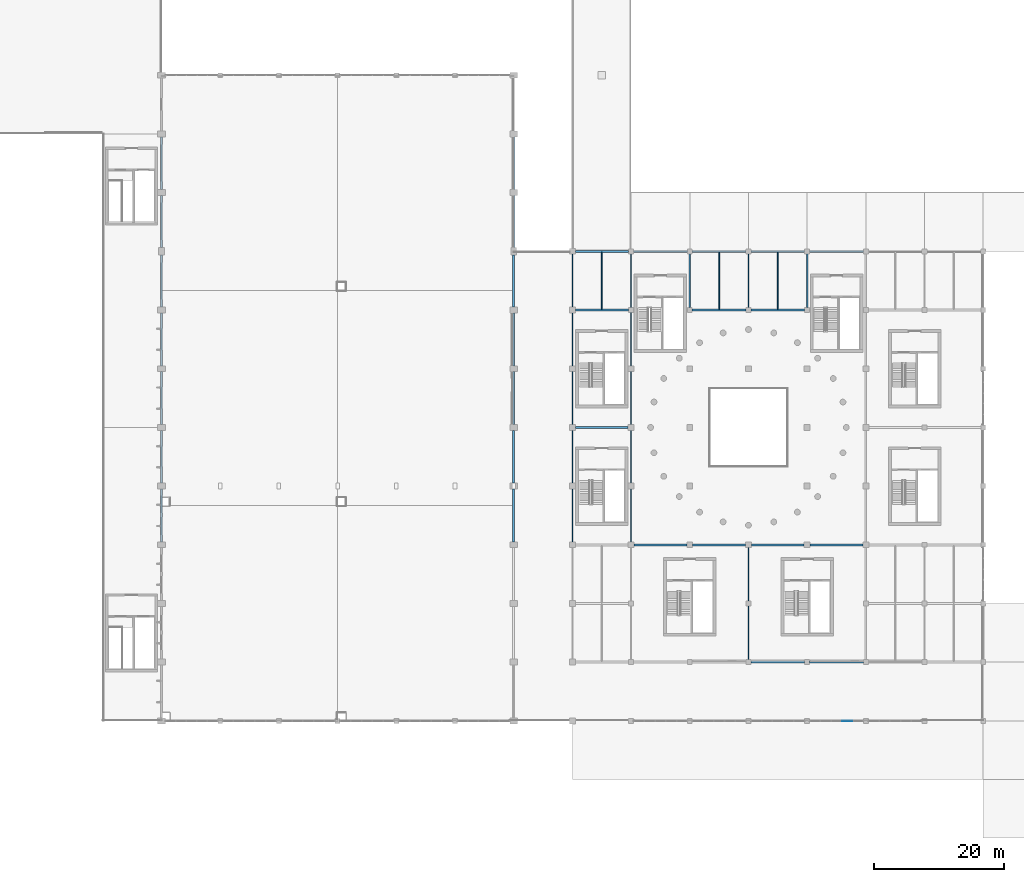
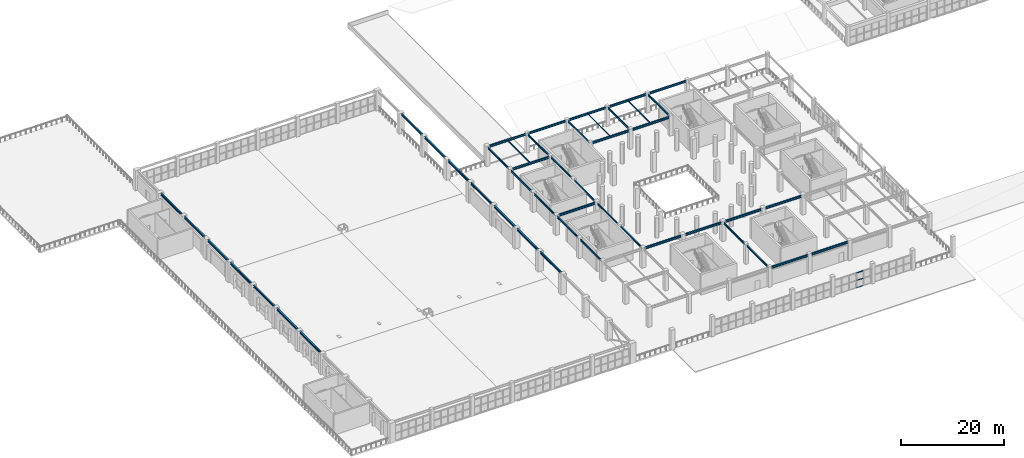
# One storey, part 18 of 89: 47 beams, 3 members, 1 element without a shape of its own.
"""IFC4 building model written with IfcOpenShell, lengths in metres."""

from ifc_helpers import new_model, si_unit, direction, frame, origin, origin_2d, place, context, subcontext, project, spatial, hollow_rectangle, i_section, extrude, material, layer, layer_set, material_profile, profile_set, type_object, element, aggregate, save


model = new_model("IFC4")

# Units and contexts
model_context = context("Model", 3, precision=1e-05, world=origin(), true_north=direction((0.0, 1.0)))
body_context = subcontext(model_context, "Body", "Model", "MODEL_VIEW")
ifc_project = project(units=[si_unit("LENGTHUNIT", "METRE"), si_unit("AREAUNIT", "SQUARE_METRE"), si_unit("VOLUMEUNIT", "CUBIC_METRE"), si_unit("PLANEANGLEUNIT", "RADIAN"), si_unit("MASSUNIT", "GRAM", prefix="KILO")], contexts=[model_context])

# Site, building, storey
site_placement = place(None, origin())
site = spatial("IfcSite", under=ifc_project, at=site_placement, CompositionType="ELEMENT")
building_placement = place(site_placement, origin())
building = spatial("IfcBuilding", under=site, at=building_placement, Name="Dornveld Trade and Exhibition Forum", CompositionType="ELEMENT")
storey_placement = place(building_placement, frame((0.0, 0.0, 12.0)))
storey = spatial("IfcBuildingStorey", under=building, at=storey_placement, Name="L02", CompositionType="ELEMENT", Elevation=12.0)

# Beams
ifc_material_1 = material(Name="Steel S355J2", Category="steel")
ifc_material_profile_1 = material_profile(ifc_material_1, i_section(OverallWidth=0.300048828125, OverallDepth=0.5, WebThickness=0.014404296875, FlangeThickness=0.028076171875, FilletRadius=0.027099609375, at=origin_2d()), Name="HEB 500")
ifc_profile_set_1 = profile_set([ifc_material_profile_1], Name="Steel S355J2")
beam_type_1 = type_object("IfcBeamType", Name="BM-GIR-HEB500", PredefinedType="USERDEFINED", material=ifc_profile_set_1)
for number, where, z_axis, x_axis, name in (
    (1, (27.0, 63.446044921875, 4.550048828125), (0.0, 1.0, 0.0), (-1.0, 0.0, 0.0), "L02 Y-girder 1448"),
    (2, (27.0, 72.446044921875, 4.550048828125), (0.0, 1.0, 0.0), (-1.0, 0.0, 0.0), "L02 Y-girder 1449"),
    (3, (27.0, 81.446044921875, 4.550048828125), (0.0, 1.0, 0.0), (-1.0, 0.0, 0.0), "L02 Y-girder 1450"),
    (4, (27.0, 90.446044921875, 4.550048828125), (0.0, 1.0, 0.0), (-1.0, 0.0, 0.0), "L02 Y-girder 1451"),
):
    element("IfcBeam", number, at=place(storey_placement, frame(where, z_axis=z_axis, x_axis=x_axis)), inside=storey, type_object=beam_type_1, Name=name, ObjectType="GIRDER", PredefinedType="USERDEFINED", context=body_context, shape_type="SweptSolid", body=[
        extrude(i_section(OverallWidth=0.300048828125, OverallDepth=0.5, WebThickness=0.014404296875, FlangeThickness=0.028076171875, FilletRadius=0.027099609375, at=origin_2d()), origin(), (0.0, 0.0, 1.0), 8.10791015625),
    ])
for number, where, z_axis, x_axis, name in (
    (5, (27.0, 99.446044921875, 4.550048828125), (0.0, 1.0, 0.0), (-1.0, 0.0, 0.0), "L02 Y-girder 1452"),
    (6, (27.0, 108.595947265625, 4.550048828125), (0.0, 1.0, 0.0), (-1.0, 0.0, 0.0), "L02 Y-girder 1453"),
):
    element("IfcBeam", number, at=place(storey_placement, frame(where, z_axis=z_axis, x_axis=x_axis)), inside=storey, type_object=beam_type_1, Name=name, ObjectType="GIRDER", PredefinedType="USERDEFINED", context=body_context, shape_type="SweptSolid", body=[
        extrude(i_section(OverallWidth=0.300048828125, OverallDepth=0.5, WebThickness=0.014404296875, FlangeThickness=0.028076171875, FilletRadius=0.027099609375, at=origin_2d()), origin(), (0.0, 0.0, 1.0), 7.9580078125),
    ])
for number, where, z_axis, x_axis, name in (
    (7, (27.0, 117.446044921875, 4.550048828125), (0.0, 1.0, 0.0), (-1.0, 0.0, 0.0), "L02 Y-girder 1454"),
    (8, (81.0, 63.446044921875, 4.550048828125), (0.0, 1.0, 0.0), (-1.0, 0.0, 0.0), "L02 Y-girder 1459"),
    (9, (81.0, 72.446044921875, 4.550048828125), (0.0, 1.0, 0.0), (-1.0, 0.0, 0.0), "L02 Y-girder 1460"),
    (10, (81.0, 81.446044921875, 4.550048828125), (0.0, 1.0, 0.0), (-1.0, 0.0, 0.0), "L02 Y-girder 1461"),
    (11, (81.0, 90.446044921875, 4.550048828125), (0.0, 1.0, 0.0), (-1.0, 0.0, 0.0), "L02 Y-girder 1462"),
):
    element("IfcBeam", number, at=place(storey_placement, frame(where, z_axis=z_axis, x_axis=x_axis)), inside=storey, type_object=beam_type_1, Name=name, ObjectType="GIRDER", PredefinedType="USERDEFINED", context=body_context, shape_type="SweptSolid", body=[
        extrude(i_section(OverallWidth=0.300048828125, OverallDepth=0.5, WebThickness=0.014404296875, FlangeThickness=0.028076171875, FilletRadius=0.027099609375, at=origin_2d()), origin(), (0.0, 0.0, 1.0), 8.10791015625),
    ])
for number, where, z_axis, x_axis, name in (
    (12, (81.0, 99.446044921875, 4.550048828125), (0.0, 1.0, 0.0), (-1.0, 0.0, 0.0), "L02 Y-girder 1463"),
    (13, (81.0, 108.595947265625, 4.550048828125), (0.0, 1.0, 0.0), (-1.0, 0.0, 0.0), "L02 Y-girder 1464"),
):
    element("IfcBeam", number, at=place(storey_placement, frame(where, z_axis=z_axis, x_axis=x_axis)), inside=storey, type_object=beam_type_1, Name=name, ObjectType="GIRDER", PredefinedType="USERDEFINED", context=body_context, shape_type="SweptSolid", body=[
        extrude(i_section(OverallWidth=0.300048828125, OverallDepth=0.5, WebThickness=0.014404296875, FlangeThickness=0.028076171875, FilletRadius=0.027099609375, at=origin_2d()), origin(), (0.0, 0.0, 1.0), 7.9580078125),
    ])
beam_1_placement = place(storey_placement, frame((81.0, 117.446044921875, 4.550048828125), z_axis=(0.0, 1.0, 0.0), x_axis=(-1.0, 0.0, 0.0)))
element("IfcBeam", 14, at=beam_1_placement, inside=storey, type_object=beam_type_1, Name="L02 Y-girder 1465", ObjectType="GIRDER", PredefinedType="USERDEFINED", context=body_context, shape_type="SweptSolid", body=[
    extrude(i_section(OverallWidth=0.300048828125, OverallDepth=0.5, WebThickness=0.014404296875, FlangeThickness=0.028076171875, FilletRadius=0.027099609375, at=origin_2d()), origin(), (0.0, 0.0, 1.0), 8.10791015625),
])
for number, where, z_axis, x_axis, name in (
    (15, (117.37109375, 45.0, 4.27001953125), (1.0, 0.0, 0.0), (0.0, 1.0, 0.0), "L02 X-girder 1470"),
    (16, (126.37109375, 45.0, 4.27001953125), (1.0, 0.0, 0.0), (0.0, 1.0, 0.0), "L02 X-girder 1471"),
):
    element("IfcBeam", number, at=place(storey_placement, frame(where, z_axis=z_axis, x_axis=x_axis)), inside=storey, type_object=beam_type_1, Name=name, ObjectType="GIRDER", PredefinedType="USERDEFINED", context=body_context, shape_type="SweptSolid", body=[
        extrude(i_section(OverallWidth=0.300048828125, OverallDepth=0.5, WebThickness=0.014404296875, FlangeThickness=0.028076171875, FilletRadius=0.027099609375, at=origin_2d()), origin(), (0.0, 0.0, 1.0), 8.2578125),
    ])
for number, where, z_axis, x_axis, name in (
    (17, (99.446044921875, 63.0, 4.27001953125), (1.0, 0.0, 0.0), (0.0, 1.0, 0.0), "L02 X-girder 1478"),
    (18, (108.446044921875, 63.0, 4.27001953125), (1.0, 0.0, 0.0), (0.0, 1.0, 0.0), "L02 X-girder 1479"),
    (19, (117.446044921875, 63.0, 4.27001953125), (1.0, 0.0, 0.0), (0.0, 1.0, 0.0), "L02 X-girder 1480"),
    (20, (126.446044921875, 63.0, 4.27001953125), (1.0, 0.0, 0.0), (0.0, 1.0, 0.0), "L02 X-girder 1481"),
    (21, (90.446044921875, 81.0, 4.27001953125), (1.0, 0.0, 0.0), (0.0, 1.0, 0.0), "L02 X-girder 1484"),
):
    element("IfcBeam", number, at=place(storey_placement, frame(where, z_axis=z_axis, x_axis=x_axis)), inside=storey, type_object=beam_type_1, Name=name, ObjectType="GIRDER", PredefinedType="USERDEFINED", context=body_context, shape_type="SweptSolid", body=[
        extrude(i_section(OverallWidth=0.300048828125, OverallDepth=0.5, WebThickness=0.014404296875, FlangeThickness=0.028076171875, FilletRadius=0.027099609375, at=origin_2d()), origin(), (0.0, 0.0, 1.0), 8.10791015625),
    ])
beam_2_placement = place(storey_placement, frame((90.446044921875, 99.0, 4.27001953125), z_axis=(1.0, 0.0, 0.0), x_axis=(0.0, 1.0, 0.0)))
element("IfcBeam", 22, at=beam_2_placement, inside=storey, type_object=beam_type_1, Name="L02 X-girder 1487", ObjectType="GIRDER", PredefinedType="USERDEFINED", context=body_context, shape_type="SweptSolid", body=[
    extrude(i_section(OverallWidth=0.300048828125, OverallDepth=0.5, WebThickness=0.014404296875, FlangeThickness=0.028076171875, FilletRadius=0.027099609375, at=origin_2d()), origin(), (0.0, 0.0, 1.0), 8.182861328125),
])
for number, where, z_axis, x_axis, name in (
    (23, (108.37109375, 99.0, 4.27001953125), (1.0, 0.0, 0.0), (0.0, 1.0, 0.0), "L02 X-girder 1488"),
    (24, (117.37109375, 99.0, 4.27001953125), (1.0, 0.0, 0.0), (0.0, 1.0, 0.0), "L02 X-girder 1489"),
):
    element("IfcBeam", number, at=place(storey_placement, frame(where, z_axis=z_axis, x_axis=x_axis)), inside=storey, type_object=beam_type_1, Name=name, ObjectType="GIRDER", PredefinedType="USERDEFINED", context=body_context, shape_type="SweptSolid", body=[
        extrude(i_section(OverallWidth=0.300048828125, OverallDepth=0.5, WebThickness=0.014404296875, FlangeThickness=0.028076171875, FilletRadius=0.027099609375, at=origin_2d()), origin(), (0.0, 0.0, 1.0), 8.2578125),
    ])
beam_3_placement = place(storey_placement, frame((90.446044921875, 108.0, 4.27001953125), z_axis=(1.0, 0.0, 0.0), x_axis=(0.0, 1.0, 0.0)))
element("IfcBeam", 25, at=beam_3_placement, inside=storey, type_object=beam_type_1, Name="L02 X-girder 1492", ObjectType="GIRDER", PredefinedType="USERDEFINED", context=body_context, shape_type="SweptSolid", body=[
    extrude(i_section(OverallWidth=0.300048828125, OverallDepth=0.5, WebThickness=0.014404296875, FlangeThickness=0.028076171875, FilletRadius=0.027099609375, at=origin_2d()), origin(), (0.0, 0.0, 1.0), 8.182861328125),
])
for number, where, z_axis, x_axis, name in (
    (26, (99.37109375, 108.0, 4.27001953125), (1.0, 0.0, 0.0), (0.0, 1.0, 0.0), "L02 X-girder 1493"),
    (27, (108.37109375, 108.0, 4.27001953125), (1.0, 0.0, 0.0), (0.0, 1.0, 0.0), "L02 X-girder 1494"),
    (28, (117.37109375, 108.0, 4.27001953125), (1.0, 0.0, 0.0), (0.0, 1.0, 0.0), "L02 X-girder 1495"),
    (29, (126.37109375, 108.0, 4.27001953125), (1.0, 0.0, 0.0), (0.0, 1.0, 0.0), "L02 X-girder 1496"),
):
    element("IfcBeam", number, at=place(storey_placement, frame(where, z_axis=z_axis, x_axis=x_axis)), inside=storey, type_object=beam_type_1, Name=name, ObjectType="GIRDER", PredefinedType="USERDEFINED", context=body_context, shape_type="SweptSolid", body=[
        extrude(i_section(OverallWidth=0.300048828125, OverallDepth=0.5, WebThickness=0.014404296875, FlangeThickness=0.028076171875, FilletRadius=0.027099609375, at=origin_2d()), origin(), (0.0, 0.0, 1.0), 8.2578125),
    ])
ifc_material_2 = material(Name="Steel S355J2", Category="steel")
ifc_material_profile_2 = material_profile(ifc_material_2, i_section(OverallWidth=0.1201171875, OverallDepth=0.239990234375, WebThickness=0.006103515625, FlangeThickness=0.009765625, FilletRadius=0.014892578125, at=origin_2d()), Name="IPE 240")
ifc_profile_set_2 = profile_set([ifc_material_profile_2], Name="Steel S355J2")
beam_type_2 = type_object("IfcBeamType", Name="BM-JOIST-240", PredefinedType="JOIST", material=ifc_profile_set_2)
for number, where, z_axis, x_axis, name in (
    (30, (94.5, 99.14697265625, 4.39990234375), (0.0, 1.0, 0.0), (-1.0, 0.0, 0.0), "L02 secondary joist 1537"),
    (31, (112.5, 99.14697265625, 4.39990234375), (0.0, 1.0, 0.0), (-1.0, 0.0, 0.0), "L02 secondary joist 1538"),
    (32, (121.5, 99.14697265625, 4.39990234375), (0.0, 1.0, 0.0), (-1.0, 0.0, 0.0), "L02 secondary joist 1539"),
):
    element("IfcBeam", number, at=place(storey_placement, frame(where, z_axis=z_axis, x_axis=x_axis)), inside=storey, type_object=beam_type_2, Name=name, PredefinedType="JOIST", context=body_context, shape_type="SweptSolid", body=[
        extrude(i_section(OverallWidth=0.1201171875, OverallDepth=0.239990234375, WebThickness=0.006103515625, FlangeThickness=0.009765625, FilletRadius=0.014892578125, at=origin_2d()), origin(), (0.0, 0.0, 1.0), 8.7060546875),
    ])
ifc_material_3 = material(Name="Steel S355J2", Category="steel")
ifc_material_profile_3 = material_profile(ifc_material_3, i_section(OverallWidth=0.18994140625, OverallDepth=0.449951171875, WebThickness=0.009521484375, FlangeThickness=0.0146484375, FilletRadius=0.02099609375, at=origin_2d()), Name="IPE 450")
ifc_profile_set_3 = profile_set([ifc_material_profile_3], Name="Steel S355J2")
beam_type_3 = type_object("IfcBeamType", Name="BM-SEC-450", PredefinedType="BEAM", material=ifc_profile_set_3)
for number, where, z_axis, x_axis, name in (
    (33, (90.0, 63.446044921875, 4.294921875), (0.0, 1.0, 0.0), (-1.0, 0.0, 0.0), "L02 Y-girder 1501"),
    (34, (90.0, 72.446044921875, 4.294921875), (0.0, 1.0, 0.0), (-1.0, 0.0, 0.0), "L02 Y-girder 1502"),
    (35, (90.0, 81.446044921875, 4.294921875), (0.0, 1.0, 0.0), (-1.0, 0.0, 0.0), "L02 Y-girder 1503"),
    (36, (90.0, 90.446044921875, 4.294921875), (0.0, 1.0, 0.0), (-1.0, 0.0, 0.0), "L02 Y-girder 1504"),
    (37, (90.0, 99.446044921875, 4.294921875), (0.0, 1.0, 0.0), (-1.0, 0.0, 0.0), "L02 Y-girder 1505"),
    (38, (99.0, 63.446044921875, 4.294921875), (0.0, 1.0, 0.0), (-1.0, 0.0, 0.0), "L02 Y-girder 1508"),
    (39, (99.0, 72.446044921875, 4.294921875), (0.0, 1.0, 0.0), (-1.0, 0.0, 0.0), "L02 Y-girder 1509"),
    (40, (99.0, 81.446044921875, 4.294921875), (0.0, 1.0, 0.0), (-1.0, 0.0, 0.0), "L02 Y-girder 1510"),
):
    element("IfcBeam", number, at=place(storey_placement, frame(where, z_axis=z_axis, x_axis=x_axis)), inside=storey, type_object=beam_type_3, Name=name, PredefinedType="BEAM", context=body_context, shape_type="SweptSolid", body=[
        extrude(i_section(OverallWidth=0.18994140625, OverallDepth=0.449951171875, WebThickness=0.009521484375, FlangeThickness=0.0146484375, FilletRadius=0.02099609375, at=origin_2d()), origin(), (0.0, 0.0, 1.0), 8.10791015625),
    ])
beam_4_placement = place(storey_placement, frame((99.0, 90.446044921875, 4.294921875), z_axis=(0.0, 1.0, 0.0), x_axis=(-1.0, 0.0, 0.0)))
element("IfcBeam", 41, at=beam_4_placement, inside=storey, type_object=beam_type_3, Name="L02 Y-girder 1511", PredefinedType="BEAM", context=body_context, shape_type="SweptSolid", body=[
    extrude(i_section(OverallWidth=0.18994140625, OverallDepth=0.449951171875, WebThickness=0.009521484375, FlangeThickness=0.0146484375, FilletRadius=0.02099609375, at=origin_2d()), origin(), (0.0, 0.0, 1.0), 8.182861328125),
])
for number, where, z_axis, x_axis, name in (
    (42, (99.0, 99.37109375, 4.294921875), (0.0, 1.0, 0.0), (-1.0, 0.0, 0.0), "L02 Y-girder 1512"),
    (43, (108.0, 99.37109375, 4.294921875), (0.0, 1.0, 0.0), (-1.0, 0.0, 0.0), "L02 Y-girder 1513"),
    (44, (117.0, 45.37109375, 4.294921875), (0.0, 1.0, 0.0), (-1.0, 0.0, 0.0), "L02 Y-girder 1514"),
):
    element("IfcBeam", number, at=place(storey_placement, frame(where, z_axis=z_axis, x_axis=x_axis)), inside=storey, type_object=beam_type_3, Name=name, PredefinedType="BEAM", context=body_context, shape_type="SweptSolid", body=[
        extrude(i_section(OverallWidth=0.18994140625, OverallDepth=0.449951171875, WebThickness=0.009521484375, FlangeThickness=0.0146484375, FilletRadius=0.02099609375, at=origin_2d()), origin(), (0.0, 0.0, 1.0), 8.2578125),
    ])
beam_5_placement = place(storey_placement, frame((117.0, 54.37109375, 4.294921875), z_axis=(0.0, 1.0, 0.0), x_axis=(-1.0, 0.0, 0.0)))
element("IfcBeam", 45, at=beam_5_placement, inside=storey, type_object=beam_type_3, Name="L02 Y-girder 1515", PredefinedType="BEAM", context=body_context, shape_type="SweptSolid", body=[
    extrude(i_section(OverallWidth=0.18994140625, OverallDepth=0.449951171875, WebThickness=0.009521484375, FlangeThickness=0.0146484375, FilletRadius=0.02099609375, at=origin_2d()), origin(), (0.0, 0.0, 1.0), 8.182861328125),
])
for number, where, z_axis, x_axis, name in (
    (46, (117.0, 99.37109375, 4.294921875), (0.0, 1.0, 0.0), (-1.0, 0.0, 0.0), "L02 Y-girder 1516"),
    (47, (126.0, 99.37109375, 4.294921875), (0.0, 1.0, 0.0), (-1.0, 0.0, 0.0), "L02 Y-girder 1517"),
):
    element("IfcBeam", number, at=place(storey_placement, frame(where, z_axis=z_axis, x_axis=x_axis)), inside=storey, type_object=beam_type_3, Name=name, PredefinedType="BEAM", context=body_context, shape_type="SweptSolid", body=[
        extrude(i_section(OverallWidth=0.18994140625, OverallDepth=0.449951171875, WebThickness=0.009521484375, FlangeThickness=0.0146484375, FilletRadius=0.02099609375, at=origin_2d()), origin(), (0.0, 0.0, 1.0), 8.2578125),
    ])

# Curtain wall, members
ifc_material_4 = material(Name="Dark-bronze anodised aluminium and low-E glass", Category="aluminium")
ifc_layer = layer(ifc_material_4, 0.18701171875)
ifc_layer_set = layer_set([ifc_layer], Name="Dark-bronze anodised aluminium and low-E glass")
curtain_wall_type = type_object("IfcCurtainWallType", Name="CW-SYS-15", PredefinedType="USERDEFINED", material=ifc_layer_set)
curtain_wall_placement = place(storey_placement, origin())
curtain_wall = element("IfcCurtainWall", 48, at=curtain_wall_placement, inside=storey, type_object=curtain_wall_type, Name="L02 unitised curtain wall 51", ObjectType="UNITISED_CURTAIN_WALL", PredefinedType="USERDEFINED")
ifc_material_5 = material(Name="Dark-bronze anodised aluminium", Category="aluminium")
ifc_material_profile_4 = material_profile(ifc_material_5, hollow_rectangle(XDim=0.06005859375, YDim=0.1201171875, WallThickness=0.00390625, at=origin_2d()), Name="RHS 120x60x4")
ifc_profile_set_4 = profile_set([ifc_material_profile_4], Name="Dark-bronze anodised aluminium")
member_type = type_object("IfcMemberType", Name="CW-TRN-120", PredefinedType="USERDEFINED", material=ifc_profile_set_4)
member_1_placement = place(storey_placement, frame((131.355712890625, 36.0, 0.02587890625), z_axis=(1.0, 0.0, 0.0), x_axis=(0.0, 1.0, 0.0)))
member_1 = element("IfcMember", 49, at=member_1_placement, type_object=member_type, Name="CW-15 transom 4.1", ObjectType="TRANSOM", PredefinedType="USERDEFINED", context=body_context, shape_type="SweptSolid", body=[
    extrude(hollow_rectangle(XDim=0.06005859375, YDim=0.1201171875, WallThickness=0.00390625, at=origin_2d()), origin(), (0.0, 0.0, 1.0), 1.591796875),
])
member_2_placement = place(storey_placement, frame((131.355712890625, 36.0, 1.7880859375), z_axis=(1.0, 0.0, 0.0), x_axis=(0.0, 1.0, 0.0)))
member_2 = element("IfcMember", 50, at=member_2_placement, type_object=member_type, Name="CW-15 transom 4.2", ObjectType="TRANSOM", PredefinedType="USERDEFINED", context=body_context, shape_type="SweptSolid", body=[
    extrude(hollow_rectangle(XDim=0.06005859375, YDim=0.1201171875, WallThickness=0.00390625, at=origin_2d()), origin(), (0.0, 0.0, 1.0), 1.591796875),
])
member_3_placement = place(storey_placement, frame((131.355712890625, 36.0, 3.550048828125), z_axis=(1.0, 0.0, 0.0), x_axis=(0.0, 1.0, 0.0)))
member_3 = element("IfcMember", 51, at=member_3_placement, type_object=member_type, Name="CW-15 transom 4.3", ObjectType="TRANSOM", PredefinedType="USERDEFINED", context=body_context, shape_type="SweptSolid", body=[
    extrude(hollow_rectangle(XDim=0.06005859375, YDim=0.1201171875, WallThickness=0.00390625, at=origin_2d()), origin(), (0.0, 0.0, 1.0), 1.591796875),
])
aggregate(curtain_wall, [member_1, member_2, member_3])

save(model, "model.ifc")
